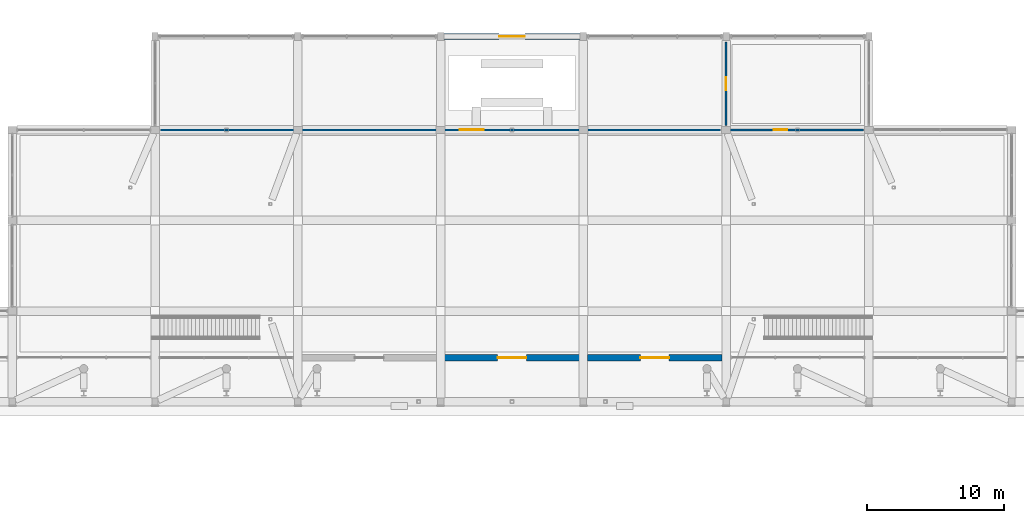
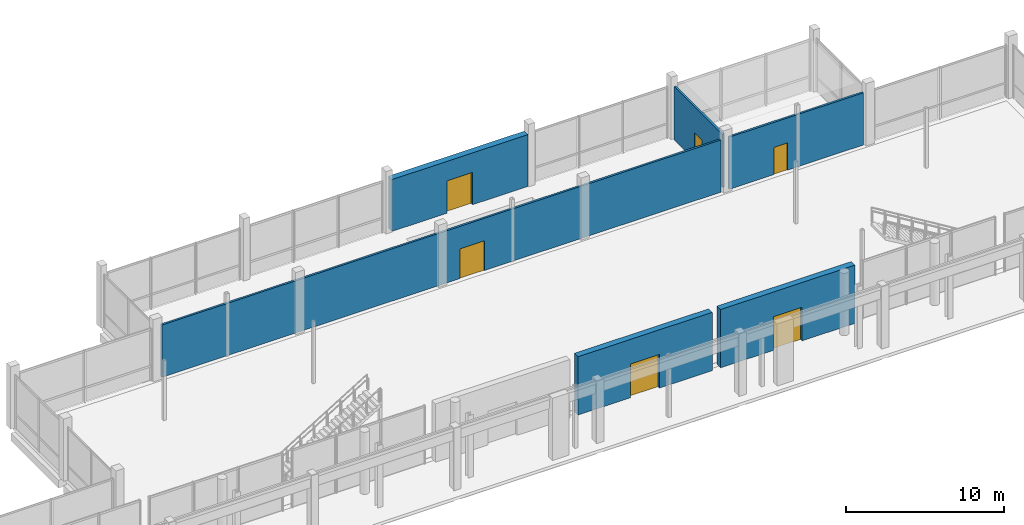
# One storey, part 51 of 88: 6 doors, 6 walls, 6 openings.
"""IFC4 building model written with IfcOpenShell, lengths in metres."""

from ifc_helpers import new_model, si_unit, derived_unit, direction, frame, frame_2d, origin, origin_with_axes, place, context, subcontext, project, spatial, rectangle, extrude, material, layer, layer_set, type_object, element, fill, save


model = new_model("IFC4")

# Units and contexts
model_context = context("Model", 3, precision=1e-05, world=origin(), true_north=direction((0.0, 1.0)))
body_context = subcontext(model_context, "Body", "Model", "MODEL_VIEW")
ifc_project = project(units=[si_unit("LENGTHUNIT", "METRE"), si_unit("AREAUNIT", "SQUARE_METRE"), si_unit("VOLUMEUNIT", "CUBIC_METRE"), si_unit("PLANEANGLEUNIT", "RADIAN"), si_unit("MASSUNIT", "GRAM", prefix="KILO"), derived_unit("THERMALTRANSMITTANCEUNIT", [(si_unit("POWERUNIT", "WATT"), 1), (si_unit("LENGTHUNIT", "METRE"), -2), (si_unit("THERMODYNAMICTEMPERATUREUNIT", "KELVIN"), -1)])], contexts=[model_context])

# Site, building, storey
site_placement = place(None, origin())
site = spatial("IfcSite", under=ifc_project, at=site_placement, CompositionType="ELEMENT")
building_placement = place(site_placement, origin())
building = spatial("IfcBuilding", under=site, at=building_placement, Name="Braskholm Square Health Centre", CompositionType="ELEMENT")
storey_placement = place(building_placement, origin())
storey = spatial("IfcBuildingStorey", under=building, at=storey_placement, Name="L01", CompositionType="ELEMENT", Elevation=0.0)

# Wall, opening, door
ifc_material_1 = material(Name="Acoustic gypsum board partition")
ifc_layer_1 = layer(ifc_material_1, 0.14990234375)
ifc_layer_set_1 = layer_set([ifc_layer_1], Name="Acoustic gypsum board partition")
wall_type_1 = type_object("IfcWallType", Name="CorridorAcousticPartition150", PredefinedType="PARTITIONING", material=ifc_layer_set_1)
wall_1_placement = place(storey_placement, frame((58.39990234375, 107.0, 0.0), z_axis=(0.0, 0.0, 1.0), x_axis=(1.0, 0.0, 0.0)))
wall_1 = element("IfcWall", 1, at=wall_1_placement, inside=storey, type_object=wall_type_1, Name="Interior partition PWALL-L01-0519", PredefinedType="PARTITIONING", context=body_context, shape_type="SweptSolid", body=[
    extrude(rectangle(XDim=40.800048828125, YDim=0.14990234375, at=frame_2d((20.39990234375, 0.0))), origin(), (0.0, 0.0, 1.0), 4.031982421875),
])
opening_1_placement = place(wall_1_placement, frame((21.777099609375, 0.0, 0.0)))
opening_1 = element("IfcOpeningElement", 2, at=opening_1_placement, cuts=wall_1, Name="Opening D-12", PredefinedType="OPENING", context=body_context, shape_type="SweptSolid", body=[
    extrude(rectangle(XDim=1.760009765625, YDim=2.300048828125, at=frame_2d((0.8798828125, 1.14990234375))), frame((0.0, 0.0849609375, 0.0), z_axis=(0.0, -1.0, 0.0), x_axis=(1.0, 0.0, 0.0)), (0.0, 0.0, 1.0), 0.169921875),
])
ifc_material_2 = material(Name="Architectural bronze anodised aluminium", Category="aluminium")
door_type_1 = type_object("IfcDoorType", Name="DoorRehabGymDouble1760x2300", OperationType="DOUBLE_DOOR_SINGLE_SWING", PredefinedType="DOOR", material=ifc_material_2)
door_1_placement = place(opening_1_placement, origin_with_axes())
door_1 = element("IfcDoor", 3, at=door_1_placement, inside=storey, type_object=door_type_1, Name="Interior door 0246 L01", OperationType="DOUBLE_DOOR_SINGLE_SWING", OverallHeight=2.300048828125, OverallWidth=1.760009765625, PredefinedType="DOOR", context=body_context, shape_type="SweptSolid", body=[
    extrude(rectangle(XDim=1.760009765625, YDim=2.300048828125, at=frame_2d((0.8798828125, 1.14990234375))), frame((0.0, 0.02490234375, 0.0), z_axis=(0.0, -1.0, 0.0), x_axis=(1.0, 0.0, 0.0)), (0.0, 0.0, 1.0), 0.050048828125),
])
fill(opening_1, door_1)

wall_2_placement = place(storey_placement, frame((99.800048828125, 107.0, 0.0), z_axis=(0.0, 0.0, 1.0), x_axis=(1.0, 0.0, 0.0)))
wall_2 = element("IfcWall", 4, at=wall_2_placement, inside=storey, type_object=wall_type_1, Name="Interior partition PWALL-L01-0520", PredefinedType="PARTITIONING", context=body_context, shape_type="SweptSolid", body=[
    extrude(rectangle(XDim=9.800048828125, YDim=0.14990234375, at=frame_2d((4.89990234375, 0.0))), origin(), (0.0, 0.0, 1.0), 4.031982421875),
])
opening_2_placement = place(wall_2_placement, frame((3.284912109375, 0.0, 0.0)))
opening_2 = element("IfcOpeningElement", 5, at=opening_2_placement, cuts=wall_2, Name="Opening D-05", PredefinedType="OPENING", context=body_context, shape_type="SweptSolid", body=[
    extrude(rectangle(XDim=0.9599609375, YDim=2.10009765625, at=frame_2d((0.47998046875, 1.050048828125))), frame((0.0, 0.0849609375, 0.0), z_axis=(0.0, -1.0, 0.0), x_axis=(1.0, 0.0, 0.0)), (0.0, 0.0, 1.0), 0.169921875),
])
door_type_2 = type_object("IfcDoorType", Name="DoorAccessibleWC960x2100", OperationType="NOTDEFINED", PredefinedType="DOOR", material=ifc_material_2)
door_2_placement = place(opening_2_placement, origin_with_axes())
door_2 = element("IfcDoor", 6, at=door_2_placement, inside=storey, type_object=door_type_2, Name="Interior door 0247 L01", OperationType="SINGLE_SWING_RIGHT", OverallHeight=2.10009765625, OverallWidth=0.9599609375, PredefinedType="DOOR", context=body_context, shape_type="SweptSolid", body=[
    extrude(rectangle(XDim=0.9599609375, YDim=2.10009765625, at=frame_2d((0.47998046875, 1.050048828125))), frame((0.0, 0.02490234375, 0.0), z_axis=(0.0, -1.0, 0.0), x_axis=(1.0, 0.0, 0.0)), (0.0, 0.0, 1.0), 0.050048828125),
])
fill(opening_2, door_2)

wall_3_placement = place(storey_placement, frame((99.60009765625, 107.300048828125, 0.0), z_axis=(0.0, 0.0, 1.0), x_axis=(0.0, 1.0, 0.0)))
wall_3 = element("IfcWall", 7, at=wall_3_placement, inside=storey, type_object=wall_type_1, Name="Interior partition PWALL-L01-0521", PredefinedType="PARTITIONING", context=body_context, shape_type="SweptSolid", body=[
    extrude(rectangle(XDim=6.099853515625, YDim=0.14990234375, at=frame_2d((3.0498046875, 0.0))), origin(), (0.0, 0.0, 1.0), 4.114990234375),
])
opening_3_placement = place(wall_3_placement, frame((2.570068359375, 0.0, 0.0)))
opening_3 = element("IfcOpeningElement", 8, at=opening_3_placement, cuts=wall_3, Name="Opening D-05", PredefinedType="OPENING", context=body_context, shape_type="SweptSolid", body=[
    extrude(rectangle(XDim=0.9599609375, YDim=2.10009765625, at=frame_2d((0.47998046875, 1.050048828125))), frame((0.0, 0.0849609375, 0.0), z_axis=(0.0, -1.0, 0.0), x_axis=(1.0, 0.0, 0.0)), (0.0, 0.0, 1.0), 0.169921875),
])
door_3_placement = place(opening_3_placement, origin_with_axes())
door_3 = element("IfcDoor", 9, at=door_3_placement, inside=storey, type_object=door_type_2, Name="Interior door 0248 L01", OperationType="SINGLE_SWING_LEFT", OverallHeight=2.10009765625, OverallWidth=0.9599609375, PredefinedType="DOOR", context=body_context, shape_type="SweptSolid", body=[
    extrude(rectangle(XDim=0.9599609375, YDim=2.10009765625, at=frame_2d((0.47998046875, 1.050048828125))), frame((0.0, 0.02490234375, 0.0), z_axis=(0.0, -1.0, 0.0), x_axis=(1.0, 0.0, 0.0)), (0.0, 0.0, 1.0), 0.050048828125),
])
fill(opening_3, door_3)

ifc_material_3 = material(Name="Mankato-Kasota dolomitic limestone ashlar", Category="masonry")
ifc_layer_2 = layer(ifc_material_3, 0.449951171875)
ifc_layer_set_2 = layer_set([ifc_layer_2], Name="Mankato-Kasota dolomitic limestone ashlar")
wall_type_2 = type_object("IfcWallType", Name="ExteriorKasotaWall450", PredefinedType="SOLIDWALL", material=ifc_layer_set_2)
wall_4_placement = place(storey_placement, frame((79.10009765625, 90.39990234375, 0.0), z_axis=(0.0, 0.0, 1.0), x_axis=(1.0, 0.0, 0.0)))
wall_4 = element("IfcWall", 10, at=wall_4_placement, inside=storey, type_object=wall_type_2, Name="Exterior wall EWALL-L01-0266", PredefinedType="SOLIDWALL", context=body_context, shape_type="SweptSolid", body=[
    extrude(rectangle(XDim=9.7998046875, YDim=0.449951171875, at=frame_2d((4.89990234375, 0.0))), origin(), (0.0, 0.0, 1.0), 4.5),
])
opening_4_placement = place(wall_4_placement, frame((3.85009765625, 0.0, 0.0)))
opening_4 = element("IfcOpeningElement", 11, at=opening_4_placement, cuts=wall_4, Name="Opening D-E1", PredefinedType="OPENING", context=body_context, shape_type="SweptSolid", body=[
    extrude(rectangle(XDim=2.10009765625, YDim=2.60009765625, at=frame_2d((1.050048828125, 1.300048828125))), frame((0.0, 0.23486328125, 0.0), z_axis=(0.0, -1.0, 0.0), x_axis=(1.0, 0.0, 0.0)), (0.0, 0.0, 1.0), 0.469970703125),
])
ifc_material_4 = material(Name="Low-E triple insulating glass (VLT 0.64)", Category="glass")
door_type_3 = type_object("IfcDoorType", Name="DoorMainEntrancePair2100x2600", OperationType="DOUBLE_DOOR_SINGLE_SWING", PredefinedType="DOOR", material=ifc_material_4)
door_4_placement = place(opening_4_placement, frame((2.10009765625, 0.0, 0.0), z_axis=(0.0, 0.0, 1.0), x_axis=(-1.0, 0.0, 0.0)))
door_4 = element("IfcDoor", 12, at=door_4_placement, inside=storey, type_object=door_type_3, Name="Exterior door 0037 L01", OperationType="DOUBLE_DOOR_SINGLE_SWING", OverallHeight=2.60009765625, OverallWidth=2.10009765625, PredefinedType="DOOR", context=body_context, shape_type="SweptSolid", body=[
    extrude(rectangle(XDim=2.10009765625, YDim=2.60009765625, at=frame_2d((1.050048828125, 1.300048828125))), frame((0.0, 0.02490234375, 0.0), z_axis=(0.0, -1.0, 0.0), x_axis=(1.0, 0.0, 0.0)), (0.0, 0.0, 1.0), 0.050048828125),
])
fill(opening_4, door_4)

wall_5_placement = place(storey_placement, frame((89.5, 90.39990234375, 0.0), z_axis=(0.0, 0.0, 1.0), x_axis=(1.0, 0.0, 0.0)))
wall_5 = element("IfcWall", 13, at=wall_5_placement, inside=storey, type_object=wall_type_2, Name="Exterior wall EWALL-L01-0267", PredefinedType="SOLIDWALL", context=body_context, shape_type="SweptSolid", body=[
    extrude(rectangle(XDim=9.800048828125, YDim=0.449951171875, at=frame_2d((4.89990234375, 0.0))), origin(), (0.0, 0.0, 1.0), 4.5),
])
opening_5_placement = place(wall_5_placement, frame((3.85009765625, 0.0, 0.0)))
opening_5 = element("IfcOpeningElement", 14, at=opening_5_placement, cuts=wall_5, Name="Opening D-E1", PredefinedType="OPENING", context=body_context, shape_type="SweptSolid", body=[
    extrude(rectangle(XDim=2.10009765625, YDim=2.60009765625, at=frame_2d((1.050048828125, 1.300048828125))), frame((0.0, 0.23486328125, 0.0), z_axis=(0.0, -1.0, 0.0), x_axis=(1.0, 0.0, 0.0)), (0.0, 0.0, 1.0), 0.469970703125),
])
door_5_placement = place(opening_5_placement, frame((2.10009765625, 0.0, 0.0), z_axis=(0.0, 0.0, 1.0), x_axis=(-1.0, 0.0, 0.0)))
door_5 = element("IfcDoor", 15, at=door_5_placement, inside=storey, type_object=door_type_3, Name="Exterior door 0038 L01", OperationType="DOUBLE_DOOR_SINGLE_SWING", OverallHeight=2.60009765625, OverallWidth=2.10009765625, PredefinedType="DOOR", context=body_context, shape_type="SweptSolid", body=[
    extrude(rectangle(XDim=2.10009765625, YDim=2.60009765625, at=frame_2d((1.050048828125, 1.300048828125))), frame((0.0, 0.02490234375, 0.0), z_axis=(0.0, -1.0, 0.0), x_axis=(1.0, 0.0, 0.0)), (0.0, 0.0, 1.0), 0.050048828125),
])
fill(opening_5, door_5)

wall_6_placement = place(storey_placement, frame((88.968017578125, 113.800048828125, 0.0), z_axis=(0.0, 0.0, 1.0), x_axis=(-1.0, 0.0, 0.0)))
wall_6 = element("IfcWall", 16, at=wall_6_placement, inside=storey, type_object=wall_type_2, Name="Exterior wall EWALL-L01-0282", PredefinedType="SOLIDWALL", context=body_context, shape_type="SweptSolid", body=[
    extrude(rectangle(XDim=9.93603515625, YDim=0.449951171875, at=frame_2d((4.968017578125, 0.0))), origin(), (0.0, 0.0, 1.0), 4.0),
])
opening_6_placement = place(wall_6_placement, frame((4.0380859375, 0.0, 0.0)))
opening_6 = element("IfcOpeningElement", 17, at=opening_6_placement, cuts=wall_6, Name="Opening D-E2", PredefinedType="OPENING", context=body_context, shape_type="SweptSolid", body=[
    extrude(rectangle(XDim=1.860107421875, YDim=2.5, at=frame_2d((0.93017578125, 1.25))), frame((0.0, 0.23486328125, 0.0), z_axis=(0.0, -1.0, 0.0), x_axis=(1.0, 0.0, 0.0)), (0.0, 0.0, 1.0), 0.469970703125),
])
door_type_4 = type_object("IfcDoorType", Name="DoorSquareEntrancePair1860x2500", OperationType="DOUBLE_DOOR_SINGLE_SWING", PredefinedType="DOOR", material=ifc_material_4)
door_6_placement = place(opening_6_placement, frame((1.860107421875, 0.0, 0.0), z_axis=(0.0, 0.0, 1.0), x_axis=(-1.0, 0.0, 0.0)))
door_6 = element("IfcDoor", 18, at=door_6_placement, inside=storey, type_object=door_type_4, Name="Exterior door 0039 L01", OperationType="DOUBLE_DOOR_SINGLE_SWING", OverallHeight=2.5, OverallWidth=1.860107421875, PredefinedType="DOOR", context=body_context, shape_type="SweptSolid", body=[
    extrude(rectangle(XDim=1.860107421875, YDim=2.5, at=frame_2d((0.93017578125, 1.25))), frame((0.0, 0.02490234375, 0.0), z_axis=(0.0, -1.0, 0.0), x_axis=(1.0, 0.0, 0.0)), (0.0, 0.0, 1.0), 0.050048828125),
])
fill(opening_6, door_6)

save(model, "model.ifc")
